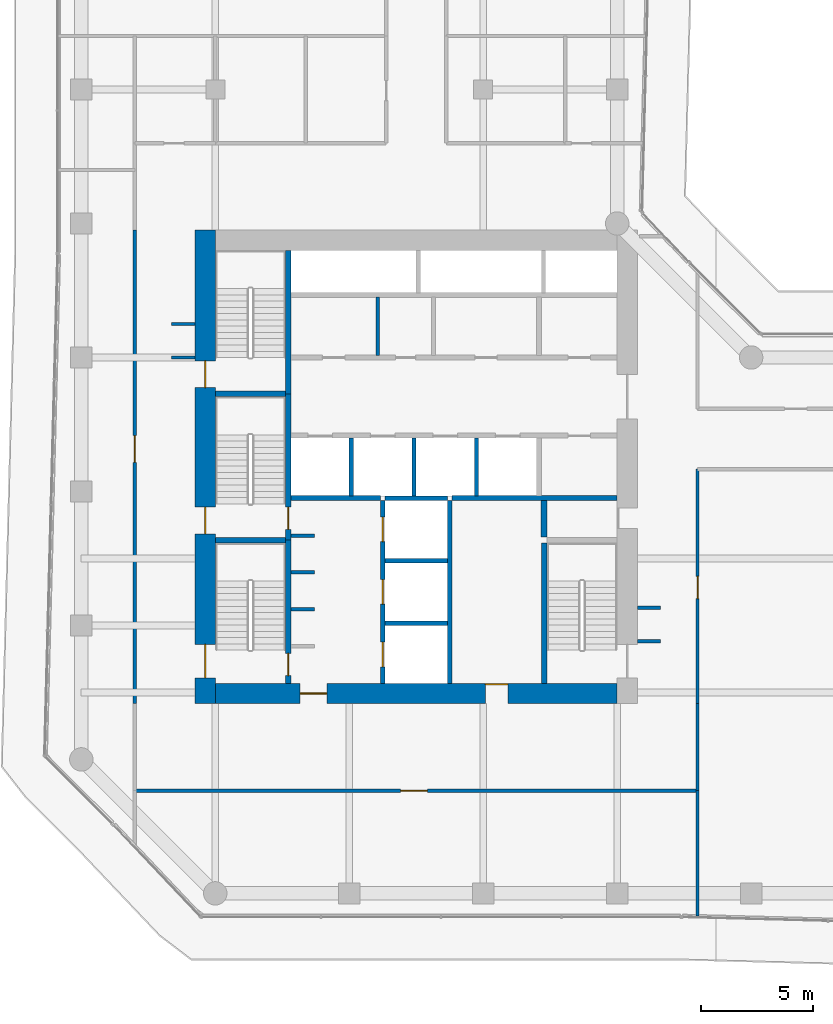
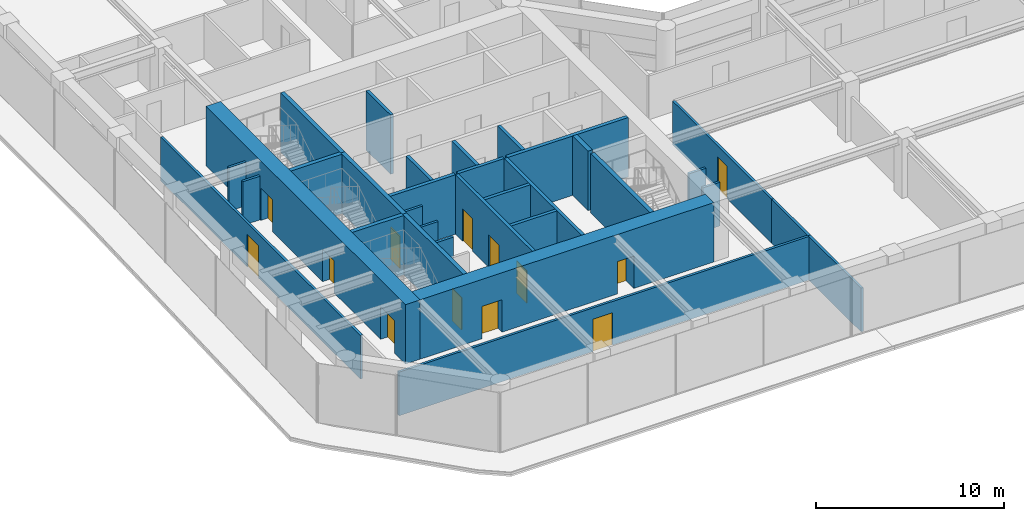
# One storey, part 23 of 28: 32 walls, 13 doors, 13 openings.
"""IFC4 building model written with IfcOpenShell, lengths in metres."""

from ifc_helpers import new_model, si_unit, direction, frame, frame_2d, origin, place, context, subcontext, project, spatial, rectangle, extrude, material, layer, layer_set, type_object, element, fill, save


model = new_model("IFC4")

# Units and contexts
model_context = context("Model", 3, precision=1e-05, world=origin(), true_north=direction((0.0, 1.0)))
body_context = subcontext(model_context, "Body", "Model", "MODEL_VIEW")
ifc_project = project(units=[si_unit("LENGTHUNIT", "METRE"), si_unit("AREAUNIT", "SQUARE_METRE"), si_unit("VOLUMEUNIT", "CUBIC_METRE"), si_unit("PLANEANGLEUNIT", "RADIAN"), si_unit("MASSUNIT", "GRAM", prefix="KILO")], contexts=[model_context])

# Site, building, storey
site_placement = place(None, origin())
site = spatial("IfcSite", under=ifc_project, at=site_placement, CompositionType="ELEMENT")
building_placement = place(site_placement, origin())
building = spatial("IfcBuilding", under=site, at=building_placement, Name="Welwitschia Terrace Campus", CompositionType="ELEMENT")
storey_placement = place(building_placement, frame((0.0, 0.0, 45.800048828125)))
storey = spatial("IfcBuildingStorey", under=building, at=storey_placement, Name="L10", CompositionType="ELEMENT", Elevation=45.800048828125)

# Walls
ifc_material_1 = material(Name="Concrete C32/40", Category="concrete")
ifc_layer_1 = layer(ifc_material_1, 0.175048828125)
ifc_layer_set_1 = layer_set([ifc_layer_1], Name="Concrete C32/40")
wall_type_1 = type_object("IfcWallType", Name="Core partition 175 Concrete C32/40", PredefinedType="PARTITIONING", material=ifc_layer_set_1)
wall_1_placement = place(storey_placement, frame((13.27490234375, 20.10009765625, 0.0), z_axis=(0.0, 0.0, 1.0), x_axis=(0.0, 1.0, 0.0)))
element("IfcWall", 1, at=wall_1_placement, inside=storey, type_object=wall_type_1, Name="Core partition", PredefinedType="PARTITIONING", context=body_context, shape_type="SweptSolid", body=[
    extrude(rectangle(XDim=2.599853515625, YDim=0.175048828125, at=frame_2d((1.2998046875, 0.0))), origin(), (0.0, 0.0, 1.0), 3.849853515625),
])
ifc_material_2 = material(Name="Concrete C32/40", Category="concrete")
ifc_layer_2 = layer(ifc_material_2, 0.22509765625)
ifc_layer_set_2 = layer_set([ifc_layer_2], Name="Concrete C32/40")
wall_type_2 = type_object("IfcWallType", Name="Core partition 225 Concrete C32/40", PredefinedType="PARTITIONING", material=ifc_layer_set_2)
wall_2_placement = place(storey_placement, frame((9.39990234375, 13.699951171875, 0.0), z_axis=(0.0, 0.0, 1.0), x_axis=(1.0, 0.0, 0.0)))
element("IfcWall", 2, at=wall_2_placement, inside=storey, type_object=wall_type_2, Name="Shaft wall", PredefinedType="PARTITIONING", context=body_context, shape_type="SweptSolid", body=[
    extrude(rectangle(XDim=4.0, YDim=0.22509765625, at=frame_2d((2.0, 0.0))), origin(), (0.0, 0.0, 1.0), 3.849853515625),
])
wall_3_placement = place(storey_placement, frame((16.60009765625, 13.699951171875, 0.0), z_axis=(0.0, 0.0, 1.0), x_axis=(1.0, 0.0, 0.0)))
element("IfcWall", 3, at=wall_3_placement, inside=storey, type_object=wall_type_2, Name="Shaft wall", PredefinedType="PARTITIONING", context=body_context, shape_type="SweptSolid", body=[
    extrude(rectangle(XDim=7.39990234375, YDim=0.22509765625, at=frame_2d((3.699951171875, 0.0))), origin(), (0.0, 0.0, 1.0), 3.849853515625),
])
ifc_material_3 = material(Name="Concrete C32/40", Category="concrete")
ifc_layer_3 = layer(ifc_material_3, 0.27490234375)
ifc_layer_set_3 = layer_set([ifc_layer_3], Name="Concrete C32/40")
wall_type_3 = type_object("IfcWallType", Name="Core partition 275 Concrete C32/40", PredefinedType="PARTITIONING", material=ifc_layer_set_3)
wall_4_placement = place(storey_placement, frame((20.72509765625, 11.949951171875, 0.0), z_axis=(0.0, 0.0, 1.0), x_axis=(0.0, 1.0, 0.0)))
element("IfcWall", 4, at=wall_4_placement, inside=storey, type_object=wall_type_3, Name="Core partition", PredefinedType="PARTITIONING", context=body_context, shape_type="SweptSolid", body=[
    extrude(rectangle(XDim=1.650146484375, YDim=0.27490234375, at=frame_2d((0.8251953125, 0.0))), origin(), (0.0, 0.0, 1.0), 3.849853515625),
])
ifc_material_4 = material(Name="Concrete C50/60", Category="concrete")
ifc_layer_4 = layer(ifc_material_4, 0.14990234375)
ifc_layer_set_4 = layer_set([ifc_layer_4], Name="Concrete C50/60")
wall_type_4 = type_object("IfcWallType", Name="Core wall 150 Concrete C50/60", PredefinedType="SHEAR", material=ifc_layer_set_4)
for number, where, z_axis, x_axis, name in (
    (5, (9.39990234375, 8.72509765625, 0.0), (0.0, 0.0, 1.0), (1.0, 0.0, 0.0), "Core wall"),
    (6, (9.39990234375, 10.375, 0.0), (0.0, 0.0, 1.0), (1.0, 0.0, 0.0), "Core wall"),
    (7, (9.39990234375, 12.02490234375, 0.0), (0.0, 0.0, 1.0), (1.0, 0.0, 0.0), "Core wall"),
):
    element("IfcWall", number, at=place(storey_placement, frame(where, z_axis=z_axis, x_axis=x_axis)), inside=storey, type_object=wall_type_4, Name=name, PredefinedType="SHEAR", context=body_context, shape_type="SweptSolid", body=[
        extrude(rectangle(XDim=1.050048828125, YDim=0.14990234375, at=frame_2d((0.52490234375, 0.0))), origin(), (0.0, 0.0, 1.0), 3.849853515625),
    ])
ifc_material_5 = material(Name="Concrete C50/60", Category="concrete")
ifc_layer_5 = layer(ifc_material_5, 0.199951171875)
ifc_layer_set_5 = layer_set([ifc_layer_5], Name="Concrete C50/60")
wall_type_5 = type_object("IfcWallType", Name="Core wall 200 Concrete C50/60", PredefinedType="SHEAR", material=ifc_layer_set_5)
for number, where, z_axis, x_axis, name in (
    (8, (13.60009765625, 8.10009765625, 0.0), (0.0, 0.0, 1.0), (1.0, 0.0, 0.0), "Core wall"),
    (9, (13.60009765625, 10.89990234375, 0.0), (0.0, 0.0, 1.0), (1.0, 0.0, 0.0), "Core wall"),
    (10, (13.60009765625, 13.699951171875, 0.0), (0.0, 0.0, 1.0), (1.0, 0.0, 0.0), "Core wall"),
):
    element("IfcWall", number, at=place(storey_placement, frame(where, z_axis=z_axis, x_axis=x_axis)), inside=storey, type_object=wall_type_5, Name=name, PredefinedType="SHEAR", context=body_context, shape_type="SweptSolid", body=[
        extrude(rectangle(XDim=2.7998046875, YDim=0.199951171875, at=frame_2d((1.39990234375, 0.0))), origin(), (0.0, 0.0, 1.0), 3.849853515625),
    ])

# Wall, openings, doors
wall_5_placement = place(storey_placement, frame((13.5, 5.39990234375, 0.0), z_axis=(0.0, 0.0, 1.0), x_axis=(0.0, 1.0, 0.0)))
wall_5 = element("IfcWall", 11, at=wall_5_placement, inside=storey, type_object=wall_type_5, Name="Core wall", PredefinedType="SHEAR", context=body_context, shape_type="SweptSolid", body=[
    extrude(rectangle(XDim=8.2001953125, YDim=0.199951171875, at=frame_2d((4.10009765625, 0.0))), origin(), (0.0, 0.0, 1.0), 3.849853515625),
])
opening_1_placement = place(wall_5_placement, frame((0.75, 0.0, 0.0)))
opening_1 = element("IfcOpeningElement", 12, at=opening_1_placement, cuts=wall_5, Name="Opening LD", PredefinedType="OPENING", context=body_context, shape_type="SweptSolid", body=[
    extrude(rectangle(XDim=1.10009765625, YDim=2.10009765625, at=frame_2d((0.550048828125, 1.050048828125))), frame((0.0, 0.10986328125, 0.0), z_axis=(0.0, -1.0, 0.0), x_axis=(1.0, 0.0, 0.0)), (0.0, 0.0, 1.0), 0.219970703125),
])
opening_2_placement = place(wall_5_placement, frame((3.550048828125, 0.0, 0.0)))
opening_2 = element("IfcOpeningElement", 13, at=opening_2_placement, cuts=wall_5, Name="Opening LD", PredefinedType="OPENING", context=body_context, shape_type="SweptSolid", body=[
    extrude(rectangle(XDim=1.10009765625, YDim=2.10009765625, at=frame_2d((0.550048828125, 1.050048828125))), frame((0.0, 0.10986328125, 0.0), z_axis=(0.0, -1.0, 0.0), x_axis=(1.0, 0.0, 0.0)), (0.0, 0.0, 1.0), 0.219970703125),
])
opening_3_placement = place(wall_5_placement, frame((6.35009765625, 0.0, 0.0)))
opening_3 = element("IfcOpeningElement", 14, at=opening_3_placement, cuts=wall_5, Name="Opening LD", PredefinedType="OPENING", context=body_context, shape_type="SweptSolid", body=[
    extrude(rectangle(XDim=1.10009765625, YDim=2.10009765625, at=frame_2d((0.550048828125, 1.050048828125))), frame((0.0, 0.10986328125, 0.0), z_axis=(0.0, -1.0, 0.0), x_axis=(1.0, 0.0, 0.0)), (0.0, 0.0, 1.0), 0.219970703125),
])
ifc_material_6 = material(Name="Stainless steel 304", Category="steel")
door_type_1 = type_object("IfcDoorType", Name="Lift landing door", OperationType="DOUBLE_DOOR_SLIDING", PredefinedType="DOOR", material=ifc_material_6)
door_1_placement = place(opening_1_placement, origin())
door_1 = element("IfcDoor", 15, at=door_1_placement, inside=storey, type_object=door_type_1, Name="Landing door FF1", OperationType="DOUBLE_DOOR_SLIDING", OverallHeight=2.10009765625, OverallWidth=1.10009765625, PredefinedType="DOOR", context=body_context, shape_type="SweptSolid", body=[
    extrude(rectangle(XDim=1.10009765625, YDim=2.10009765625, at=frame_2d((0.550048828125, 1.050048828125))), frame((0.0, 0.02490234375, 0.0), z_axis=(0.0, -1.0, 0.0), x_axis=(1.0, 0.0, 0.0)), (0.0, 0.0, 1.0), 0.050048828125),
])
fill(opening_1, door_1)
door_2_placement = place(opening_2_placement, origin())
door_2 = element("IfcDoor", 16, at=door_2_placement, inside=storey, type_object=door_type_1, Name="Landing door FF2", OperationType="DOUBLE_DOOR_SLIDING", OverallHeight=2.10009765625, OverallWidth=1.10009765625, PredefinedType="DOOR", context=body_context, shape_type="SweptSolid", body=[
    extrude(rectangle(XDim=1.10009765625, YDim=2.10009765625, at=frame_2d((0.550048828125, 1.050048828125))), frame((0.0, 0.02490234375, 0.0), z_axis=(0.0, -1.0, 0.0), x_axis=(1.0, 0.0, 0.0)), (0.0, 0.0, 1.0), 0.050048828125),
])
fill(opening_2, door_2)
door_3_placement = place(opening_3_placement, origin())
door_3 = element("IfcDoor", 17, at=door_3_placement, inside=storey, type_object=door_type_1, Name="Landing door SV1", OperationType="DOUBLE_DOOR_SLIDING", OverallHeight=2.10009765625, OverallWidth=1.10009765625, PredefinedType="DOOR", context=body_context, shape_type="SweptSolid", body=[
    extrude(rectangle(XDim=1.10009765625, YDim=2.10009765625, at=frame_2d((0.550048828125, 1.050048828125))), frame((0.0, 0.02490234375, 0.0), z_axis=(0.0, -1.0, 0.0), x_axis=(1.0, 0.0, 0.0)), (0.0, 0.0, 1.0), 0.050048828125),
])
fill(opening_3, door_3)

# Walls
wall_6_placement = place(storey_placement, frame((16.5, 5.39990234375, 0.0), z_axis=(0.0, 0.0, 1.0), x_axis=(0.0, 1.0, 0.0)))
element("IfcWall", 18, at=wall_6_placement, inside=storey, type_object=wall_type_5, Name="Core wall", PredefinedType="SHEAR", context=body_context, shape_type="SweptSolid", body=[
    extrude(rectangle(XDim=8.2001953125, YDim=0.199951171875, at=frame_2d((4.10009765625, 0.0))), origin(), (0.0, 0.0, 1.0), 3.849853515625),
])
ifc_material_7 = material(Name="Concrete C50/60", Category="concrete")
ifc_layer_6 = layer(ifc_material_7, 0.25)
ifc_layer_set_6 = layer_set([ifc_layer_6], Name="Concrete C50/60")
wall_type_6 = type_object("IfcWallType", Name="Core wall 250 Concrete C50/60", PredefinedType="SHEAR", material=ifc_layer_set_6)
for number, where, z_axis, x_axis, name in (
    (19, (6.0, 11.824951171875, 0.0), (0.0, 0.0, 1.0), (1.0, 0.0, 0.0), "Core wall"),
    (20, (6.0, 18.375, 0.0), (0.0, 0.0, 1.0), (1.0, 0.0, 0.0), "Core wall"),
):
    element("IfcWall", number, at=place(storey_placement, frame(where, z_axis=z_axis, x_axis=x_axis)), inside=storey, type_object=wall_type_6, Name=name, PredefinedType="SHEAR", context=body_context, shape_type="SweptSolid", body=[
        extrude(rectangle(XDim=3.14990234375, YDim=0.25, at=frame_2d((1.574951171875, 0.0))), origin(), (0.0, 0.0, 1.0), 3.849853515625),
    ])

# Wall, opening, door
wall_7_placement = place(storey_placement, frame((9.27490234375, 11.824951171875, 0.0), z_axis=(0.0, 0.0, 1.0), x_axis=(0.0, -1.0, 0.0)))
wall_7 = element("IfcWall", 21, at=wall_7_placement, inside=storey, type_object=wall_type_6, Name="Core wall", PredefinedType="SHEAR", context=body_context, shape_type="SweptSolid", body=[
    extrude(rectangle(XDim=6.425048828125, YDim=0.25, at=frame_2d((3.21240234375, 0.0))), origin(), (0.0, 0.0, 1.0), 3.849853515625),
])
opening_4_placement = place(wall_7_placement, frame((5.074951171875, 0.0, 0.0)))
opening_4 = element("IfcOpeningElement", 22, at=opening_4_placement, cuts=wall_7, Name="Opening DS10", PredefinedType="OPENING", context=body_context, shape_type="SweptSolid", body=[
    extrude(rectangle(XDim=1.0, YDim=2.10009765625, at=frame_2d((0.5, 1.050048828125))), frame((0.0, 0.135009765625, 0.0), z_axis=(0.0, -1.0, 0.0), x_axis=(1.0, 0.0, 0.0)), (0.0, 0.0, 1.0), 0.27001953125),
])
ifc_material_8 = material(Name="Steel S275", Category="steel")
door_type_2 = type_object("IfcDoorType", Name="Core door DS10", OperationType="SINGLE_SWING_LEFT", PredefinedType="DOOR", material=ifc_material_8)
door_4_placement = place(opening_4_placement, origin())
door_4 = element("IfcDoor", 23, at=door_4_placement, inside=storey, type_object=door_type_2, Name="Door S1-FL", OperationType="SINGLE_SWING_RIGHT", OverallHeight=2.10009765625, OverallWidth=1.0, PredefinedType="DOOR", context=body_context, shape_type="SweptSolid", body=[
    extrude(rectangle(XDim=1.0, YDim=2.10009765625, at=frame_2d((0.5, 1.050048828125))), frame((0.0, 0.02490234375, 0.0), z_axis=(0.0, -1.0, 0.0), x_axis=(1.0, 0.0, 0.0)), (0.0, 0.0, 1.0), 0.050048828125),
])
fill(opening_4, door_4)

wall_8_placement = place(storey_placement, frame((9.27490234375, 18.375, 0.0), z_axis=(0.0, 0.0, 1.0), x_axis=(0.0, -1.0, 0.0)))
wall_8 = element("IfcWall", 24, at=wall_8_placement, inside=storey, type_object=wall_type_6, Name="Core wall", PredefinedType="SHEAR", context=body_context, shape_type="SweptSolid", body=[
    extrude(rectangle(XDim=6.550048828125, YDim=0.25, at=frame_2d((3.27490234375, 0.0))), origin(), (0.0, 0.0, 1.0), 3.849853515625),
])
opening_5_placement = place(wall_8_placement, frame((5.074951171875, 0.0, 0.0)))
opening_5 = element("IfcOpeningElement", 25, at=opening_5_placement, cuts=wall_8, Name="Opening DS10", PredefinedType="OPENING", context=body_context, shape_type="SweptSolid", body=[
    extrude(rectangle(XDim=1.0, YDim=2.10009765625, at=frame_2d((0.5, 1.050048828125))), frame((0.0, 0.135009765625, 0.0), z_axis=(0.0, -1.0, 0.0), x_axis=(1.0, 0.0, 0.0)), (0.0, 0.0, 1.0), 0.27001953125),
])
door_5_placement = place(opening_5_placement, origin())
door_5 = element("IfcDoor", 26, at=door_5_placement, inside=storey, type_object=door_type_2, Name="Door S3-FL", OperationType="SINGLE_SWING_RIGHT", OverallHeight=2.10009765625, OverallWidth=1.0, PredefinedType="DOOR", context=body_context, shape_type="SweptSolid", body=[
    extrude(rectangle(XDim=1.0, YDim=2.10009765625, at=frame_2d((0.5, 1.050048828125))), frame((0.0, 0.02490234375, 0.0), z_axis=(0.0, -1.0, 0.0), x_axis=(1.0, 0.0, 0.0)), (0.0, 0.0, 1.0), 0.050048828125),
])
fill(opening_5, door_5)

# Walls
wall_9_placement = place(storey_placement, frame((9.27490234375, 18.375, 0.0), z_axis=(0.0, 0.0, 1.0), x_axis=(0.0, 1.0, 0.0)))
element("IfcWall", 27, at=wall_9_placement, inside=storey, type_object=wall_type_6, Name="Core wall", PredefinedType="SHEAR", context=body_context, shape_type="SweptSolid", body=[
    extrude(rectangle(XDim=6.425048828125, YDim=0.25, at=frame_2d((3.21240234375, 0.0))), origin(), (0.0, 0.0, 1.0), 3.849853515625),
])
wall_10_placement = place(storey_placement, frame((20.72509765625, 5.39990234375, 0.0), z_axis=(0.0, 0.0, 1.0), x_axis=(0.0, 1.0, 0.0)))
element("IfcWall", 28, at=wall_10_placement, inside=storey, type_object=wall_type_6, Name="Core wall", PredefinedType="SHEAR", context=body_context, shape_type="SweptSolid", body=[
    extrude(rectangle(XDim=6.300048828125, YDim=0.25, at=frame_2d((3.14990234375, 0.0))), origin(), (0.0, 0.0, 1.0), 3.849853515625),
])

# Wall, openings, doors
ifc_material_9 = material(Name="Concrete C70/85", Category="concrete")
ifc_layer_7 = layer(ifc_material_9, 0.89990234375)
ifc_layer_set_7 = layer_set([ifc_layer_7], Name="Concrete C70/85")
wall_type_7 = type_object("IfcWallType", Name="Core wall 900 Concrete C70/85", PredefinedType="SHEAR", material=ifc_layer_set_7)
wall_11_placement = place(storey_placement, frame((5.550048828125, 4.5, 0.0), z_axis=(0.0, 0.0, 1.0), x_axis=(0.0, 1.0, 0.0)))
wall_11 = element("IfcWall", 29, at=wall_11_placement, inside=storey, type_object=wall_type_7, Name="Core outer wall", PredefinedType="SHEAR", context=body_context, shape_type="SweptSolid", body=[
    extrude(rectangle(XDim=21.199951171875, YDim=0.89990234375, at=frame_2d((10.60009765625, 0.0))), origin(), (0.0, 0.0, 1.0), 3.849853515625),
])
opening_6_placement = place(wall_11_placement, frame((1.14990234375, 0.0, 0.0)))
opening_6 = element("IfcOpeningElement", 30, at=opening_6_placement, cuts=wall_11, Name="Opening DS15", PredefinedType="OPENING", context=body_context, shape_type="SweptSolid", body=[
    extrude(rectangle(XDim=1.5, YDim=2.10009765625, at=frame_2d((0.75, 1.050048828125))), frame((0.0, 0.4599609375, 0.0), z_axis=(0.0, -1.0, 0.0), x_axis=(1.0, 0.0, 0.0)), (0.0, 0.0, 1.0), 0.919921875),
])
opening_7_placement = place(wall_11_placement, frame((7.60009765625, 0.0, 0.0)))
opening_7 = element("IfcOpeningElement", 31, at=opening_7_placement, cuts=wall_11, Name="Opening DS12", PredefinedType="OPENING", context=body_context, shape_type="SweptSolid", body=[
    extrude(rectangle(XDim=1.199951171875, YDim=2.10009765625, at=frame_2d((0.60009765625, 1.050048828125))), frame((0.0, 0.4599609375, 0.0), z_axis=(0.0, -1.0, 0.0), x_axis=(1.0, 0.0, 0.0)), (0.0, 0.0, 1.0), 0.919921875),
])
opening_8_placement = place(wall_11_placement, frame((14.14990234375, 0.0, 0.0)))
opening_8 = element("IfcOpeningElement", 32, at=opening_8_placement, cuts=wall_11, Name="Opening DS12", PredefinedType="OPENING", context=body_context, shape_type="SweptSolid", body=[
    extrude(rectangle(XDim=1.199951171875, YDim=2.10009765625, at=frame_2d((0.60009765625, 1.050048828125))), frame((0.0, 0.4599609375, 0.0), z_axis=(0.0, -1.0, 0.0), x_axis=(1.0, 0.0, 0.0)), (0.0, 0.0, 1.0), 0.919921875),
])
ifc_material_10 = material(Name="Steel S275", Category="steel")
door_type_3 = type_object("IfcDoorType", Name="Core door DS12", OperationType="SINGLE_SWING_LEFT", PredefinedType="DOOR", material=ifc_material_10)
door_6_placement = place(opening_7_placement, origin())
door_6 = element("IfcDoor", 33, at=door_6_placement, inside=storey, type_object=door_type_3, Name="Door S3-out", OperationType="SINGLE_SWING_LEFT", OverallHeight=2.10009765625, OverallWidth=1.199951171875, PredefinedType="DOOR", context=body_context, shape_type="SweptSolid", body=[
    extrude(rectangle(XDim=1.199951171875, YDim=2.10009765625, at=frame_2d((0.60009765625, 1.050048828125))), frame((0.0, 0.02490234375, 0.0), z_axis=(0.0, -1.0, 0.0), x_axis=(1.0, 0.0, 0.0)), (0.0, 0.0, 1.0), 0.050048828125),
])
fill(opening_7, door_6)
door_7_placement = place(opening_8_placement, origin())
door_7 = element("IfcDoor", 34, at=door_7_placement, inside=storey, type_object=door_type_3, Name="Door S4-out", OperationType="SINGLE_SWING_RIGHT", OverallHeight=2.10009765625, OverallWidth=1.199951171875, PredefinedType="DOOR", context=body_context, shape_type="SweptSolid", body=[
    extrude(rectangle(XDim=1.199951171875, YDim=2.10009765625, at=frame_2d((0.60009765625, 1.050048828125))), frame((0.0, 0.02490234375, 0.0), z_axis=(0.0, -1.0, 0.0), x_axis=(1.0, 0.0, 0.0)), (0.0, 0.0, 1.0), 0.050048828125),
])
fill(opening_8, door_7)
ifc_material_11 = material(Name="Steel S275", Category="steel")
door_type_4 = type_object("IfcDoorType", Name="Core door DS15", OperationType="DOUBLE_DOOR_SINGLE_SWING", PredefinedType="DOOR", material=ifc_material_11)
door_8_placement = place(opening_6_placement, origin())
door_8 = element("IfcDoor", 35, at=door_8_placement, inside=storey, type_object=door_type_4, Name="Door S1-out", OperationType="DOUBLE_DOOR_SINGLE_SWING", OverallHeight=2.10009765625, OverallWidth=1.5, PredefinedType="DOOR", context=body_context, shape_type="SweptSolid", body=[
    extrude(rectangle(XDim=1.5, YDim=2.10009765625, at=frame_2d((0.75, 1.050048828125))), frame((0.0, 0.02490234375, 0.0), z_axis=(0.0, -1.0, 0.0), x_axis=(1.0, 0.0, 0.0)), (0.0, 0.0, 1.0), 0.050048828125),
])
fill(opening_6, door_8)

wall_12_placement = place(storey_placement, frame((24.0, 4.949951171875, 0.0), z_axis=(0.0, 0.0, 1.0), x_axis=(-1.0, 0.0, 0.0)))
wall_12 = element("IfcWall", 36, at=wall_12_placement, inside=storey, type_object=wall_type_7, Name="Core outer wall", PredefinedType="SHEAR", context=body_context, shape_type="SweptSolid", body=[
    extrude(rectangle(XDim=18.0, YDim=0.89990234375, at=frame_2d((9.0, 0.0))), origin(), (0.0, 0.0, 1.0), 3.849853515625),
])
opening_9_placement = place(wall_12_placement, frame((13.0, 0.0, 0.0)))
opening_9 = element("IfcOpeningElement", 37, at=opening_9_placement, cuts=wall_12, Name="Opening DF12", PredefinedType="OPENING", context=body_context, shape_type="SweptSolid", body=[
    extrude(rectangle(XDim=1.199951171875, YDim=2.10009765625, at=frame_2d((0.60009765625, 1.050048828125))), frame((0.0, 0.4599609375, 0.0), z_axis=(0.0, -1.0, 0.0), x_axis=(1.0, 0.0, 0.0)), (0.0, 0.0, 1.0), 0.919921875),
])
opening_10_placement = place(wall_12_placement, frame((4.89990234375, 0.0, 0.0)))
opening_10 = element("IfcOpeningElement", 38, at=opening_10_placement, cuts=wall_12, Name="Opening DR10", PredefinedType="OPENING", context=body_context, shape_type="SweptSolid", body=[
    extrude(rectangle(XDim=1.0, YDim=2.10009765625, at=frame_2d((0.5, 1.050048828125))), frame((0.0, 0.4599609375, 0.0), z_axis=(0.0, -1.0, 0.0), x_axis=(1.0, 0.0, 0.0)), (0.0, 0.0, 1.0), 0.919921875),
])
ifc_material_12 = material(Name="Steel S275", Category="steel")
door_type_5 = type_object("IfcDoorType", Name="Core door DF12", OperationType="SINGLE_SWING_LEFT", PredefinedType="DOOR", material=ifc_material_12)
door_9_placement = place(opening_9_placement, origin())
door_9 = element("IfcDoor", 39, at=door_9_placement, inside=storey, type_object=door_type_5, Name="Door FL-out", OperationType="SINGLE_SWING_RIGHT", OverallHeight=2.10009765625, OverallWidth=1.199951171875, PredefinedType="DOOR", context=body_context, shape_type="SweptSolid", body=[
    extrude(rectangle(XDim=1.199951171875, YDim=2.10009765625, at=frame_2d((0.60009765625, 1.050048828125))), frame((0.0, 0.02490234375, 0.0), z_axis=(0.0, -1.0, 0.0), x_axis=(1.0, 0.0, 0.0)), (0.0, 0.0, 1.0), 0.050048828125),
])
fill(opening_9, door_9)
ifc_material_13 = material(Name="Steel S275", Category="steel")
door_type_6 = type_object("IfcDoorType", Name="Core door DR10", OperationType="SINGLE_SWING_LEFT", PredefinedType="DOOR", material=ifc_material_13)
door_10_placement = place(opening_10_placement, origin())
door_10 = element("IfcDoor", 40, at=door_10_placement, inside=storey, type_object=door_type_6, Name="Door F1-out", OperationType="SINGLE_SWING_LEFT", OverallHeight=2.10009765625, OverallWidth=1.0, PredefinedType="DOOR", context=body_context, shape_type="SweptSolid", body=[
    extrude(rectangle(XDim=1.0, YDim=2.10009765625, at=frame_2d((0.5, 1.050048828125))), frame((0.0, -0.39013671875, 0.0), z_axis=(0.0, -1.0, 0.0), x_axis=(1.0, 0.0, 0.0)), (0.0, 0.0, 1.0), 0.050048828125),
])
fill(opening_10, door_10)

# Wall, opening, door
ifc_material_14 = material(Name="Gypsum board on steel studs", Category="steel")
ifc_layer_8 = layer(ifc_material_14, 0.14990234375)
ifc_layer_set_8 = layer_set([ifc_layer_8], Name="Gypsum board on steel studs")
wall_type_8 = type_object("IfcWallType", Name="Corridor partition 150 EI 30", PredefinedType="PARTITIONING", material=ifc_layer_set_8)
wall_13_placement = place(storey_placement, frame((2.39990234375, 4.5, 0.0), z_axis=(0.0, 0.0, 1.0), x_axis=(0.0, 1.0, 0.0)))
wall_13 = element("IfcWall", 41, at=wall_13_placement, inside=storey, type_object=wall_type_8, Name="Partition", PredefinedType="PARTITIONING", context=body_context, shape_type="SweptSolid", body=[
    extrude(rectangle(XDim=21.199951171875, YDim=0.14990234375, at=frame_2d((10.60009765625, 0.0))), origin(), (0.0, 0.0, 1.0), 2.829833984375),
])
opening_11_placement = place(wall_13_placement, frame((10.800048828125, 0.0, 0.0)))
opening_11 = element("IfcOpeningElement", 42, at=opening_11_placement, cuts=wall_13, Name="Opening DI12", PredefinedType="OPENING", context=body_context, shape_type="SweptSolid", body=[
    extrude(rectangle(XDim=1.199951171875, YDim=2.10009765625, at=frame_2d((0.60009765625, 1.050048828125))), frame((0.0, 0.0849609375, 0.0), z_axis=(0.0, -1.0, 0.0), x_axis=(1.0, 0.0, 0.0)), (0.0, 0.0, 1.0), 0.169921875),
])
ifc_material_15 = material(Name="Timber veneered door", Category="wood")
door_type_7 = type_object("IfcDoorType", Name="Interior door DI12", OperationType="NOTDEFINED", PredefinedType="DOOR", material=ifc_material_15)
door_11_placement = place(opening_11_placement, origin())
door_11 = element("IfcDoor", 43, at=door_11_placement, inside=storey, type_object=door_type_7, Name="Door L10 229", OperationType="SINGLE_SWING_RIGHT", OverallHeight=2.10009765625, OverallWidth=1.199951171875, PredefinedType="DOOR", context=body_context, shape_type="SweptSolid", body=[
    extrude(rectangle(XDim=1.199951171875, YDim=2.10009765625, at=frame_2d((0.60009765625, 1.050048828125))), frame((0.0, 0.02490234375, 0.0), z_axis=(0.0, -1.0, 0.0), x_axis=(1.0, 0.0, 0.0)), (0.0, 0.0, 1.0), 0.050048828125),
])
fill(opening_11, door_11)

# Walls
for number, where, z_axis, x_axis, name in (
    (44, (4.050048828125, 20.0, 0.0), (0.0, 0.0, 1.0), (1.0, 0.0, 0.0), "Partition"),
    (45, (4.050048828125, 21.5, 0.0), (0.0, 0.0, 1.0), (1.0, 0.0, 0.0), "Partition"),
    (46, (24.89990234375, 7.300048828125, 0.0), (0.0, 0.0, 1.0), (1.0, 0.0, 0.0), "Partition"),
    (47, (24.89990234375, 8.800048828125, 0.0), (0.0, 0.0, 1.0), (1.0, 0.0, 0.0), "Partition"),
):
    element("IfcWall", number, at=place(storey_placement, frame(where, z_axis=z_axis, x_axis=x_axis)), inside=storey, type_object=wall_type_8, Name=name, PredefinedType="PARTITIONING", context=body_context, shape_type="SweptSolid", body=[
        extrude(rectangle(XDim=1.050048828125, YDim=0.14990234375, at=frame_2d((0.52490234375, 0.0))), origin(), (0.0, 0.0, 1.0), 2.829833984375),
    ])
wall_14_placement = place(storey_placement, frame((27.60009765625, -5.010009765625, 0.0), z_axis=(0.0, 0.0, 1.0), x_axis=(0.0, 1.0, 0.0)))
element("IfcWall", 48, at=wall_14_placement, inside=storey, type_object=wall_type_8, Name="Partition", PredefinedType="PARTITIONING", context=body_context, shape_type="SweptSolid", body=[
    extrude(rectangle(XDim=5.610107421875, YDim=0.14990234375, at=frame_2d((2.80517578125, 0.0))), origin(), (0.0, 0.0, 1.0), 2.829833984375),
])

# Wall, opening, door
wall_15_placement = place(storey_placement, frame((27.60009765625, 0.60009765625, 0.0), z_axis=(0.0, 0.0, 1.0), x_axis=(-1.0, 0.0, 0.0)))
wall_15 = element("IfcWall", 49, at=wall_15_placement, inside=storey, type_object=wall_type_8, Name="Partition", PredefinedType="PARTITIONING", context=body_context, shape_type="SweptSolid", body=[
    extrude(rectangle(XDim=25.2001953125, YDim=0.14990234375, at=frame_2d((12.60009765625, 0.0))), origin(), (0.0, 0.0, 1.0), 2.829833984375),
])
opening_12_placement = place(wall_15_placement, frame((12.10009765625, 0.0, 0.0)))
opening_12 = element("IfcOpeningElement", 50, at=opening_12_placement, cuts=wall_15, Name="Opening DI12", PredefinedType="OPENING", context=body_context, shape_type="SweptSolid", body=[
    extrude(rectangle(XDim=1.199951171875, YDim=2.10009765625, at=frame_2d((0.60009765625, 1.050048828125))), frame((0.0, 0.0849609375, 0.0), z_axis=(0.0, -1.0, 0.0), x_axis=(1.0, 0.0, 0.0)), (0.0, 0.0, 1.0), 0.169921875),
])
door_12_placement = place(opening_12_placement, origin())
door_12 = element("IfcDoor", 51, at=door_12_placement, inside=storey, type_object=door_type_7, Name="Door L10 239", OperationType="SINGLE_SWING_RIGHT", OverallHeight=2.10009765625, OverallWidth=1.199951171875, PredefinedType="DOOR", context=body_context, shape_type="SweptSolid", body=[
    extrude(rectangle(XDim=1.199951171875, YDim=2.10009765625, at=frame_2d((0.60009765625, 1.050048828125))), frame((0.0, 0.02490234375, 0.0), z_axis=(0.0, -1.0, 0.0), x_axis=(1.0, 0.0, 0.0)), (0.0, 0.0, 1.0), 0.050048828125),
])
fill(opening_12, door_12)

# Wall
wall_16_placement = place(storey_placement, frame((27.60009765625, 0.60009765625, 0.0), z_axis=(0.0, 0.0, 1.0), x_axis=(0.0, 1.0, 0.0)))
element("IfcWall", 52, at=wall_16_placement, inside=storey, type_object=wall_type_8, Name="Partition", PredefinedType="PARTITIONING", context=body_context, shape_type="SweptSolid", body=[
    extrude(rectangle(XDim=3.89990234375, YDim=0.14990234375, at=frame_2d((1.949951171875, 0.0))), origin(), (0.0, 0.0, 1.0), 2.829833984375),
])

# Wall, opening, door
wall_17_placement = place(storey_placement, frame((27.60009765625, 15.0, 0.0), z_axis=(0.0, 0.0, 1.0), x_axis=(0.0, -1.0, 0.0)))
wall_17 = element("IfcWall", 53, at=wall_17_placement, inside=storey, type_object=wall_type_8, Name="Partition", PredefinedType="PARTITIONING", context=body_context, shape_type="SweptSolid", body=[
    extrude(rectangle(XDim=10.5, YDim=0.14990234375, at=frame_2d((5.25, 0.0))), origin(), (0.0, 0.0, 1.0), 2.829833984375),
])
opening_13_placement = place(wall_17_placement, frame((4.800048828125, 0.0, 0.0)))
opening_13 = element("IfcOpeningElement", 54, at=opening_13_placement, cuts=wall_17, Name="Opening DI10", PredefinedType="OPENING", context=body_context, shape_type="SweptSolid", body=[
    extrude(rectangle(XDim=1.0, YDim=2.10009765625, at=frame_2d((0.5, 1.050048828125))), frame((0.0, 0.0849609375, 0.0), z_axis=(0.0, -1.0, 0.0), x_axis=(1.0, 0.0, 0.0)), (0.0, 0.0, 1.0), 0.169921875),
])
ifc_material_16 = material(Name="Timber veneered door", Category="wood")
door_type_8 = type_object("IfcDoorType", Name="Interior door DI10", OperationType="NOTDEFINED", PredefinedType="DOOR", material=ifc_material_16)
door_13_placement = place(opening_13_placement, origin())
door_13 = element("IfcDoor", 55, at=door_13_placement, inside=storey, type_object=door_type_8, Name="Door L10 240", OperationType="SINGLE_SWING_LEFT", OverallHeight=2.10009765625, OverallWidth=1.0, PredefinedType="DOOR", context=body_context, shape_type="SweptSolid", body=[
    extrude(rectangle(XDim=1.0, YDim=2.10009765625, at=frame_2d((0.5, 1.050048828125))), frame((0.0, 0.02490234375, 0.0), z_axis=(0.0, -1.0, 0.0), x_axis=(1.0, 0.0, 0.0)), (0.0, 0.0, 1.0), 0.050048828125),
])
fill(opening_13, door_13)

# Walls
ifc_material_17 = material(Name="Concrete C32/40", Category="concrete")
ifc_layer_9 = layer(ifc_material_17, 0.199951171875)
ifc_layer_set_9 = layer_set([ifc_layer_9], Name="Concrete C32/40")
wall_type_9 = type_object("IfcWallType", Name="Shaft wall 200 Concrete C32/40", PredefinedType="SOLIDWALL", material=ifc_layer_set_9)
for number, where, z_axis, x_axis, name in (
    (56, (12.10009765625, 13.800048828125, 0.0), (0.0, 0.0, 1.0), (0.0, 1.0, 0.0), "Shaft wall"),
    (57, (14.89990234375, 13.800048828125, 0.0), (0.0, 0.0, 1.0), (0.0, 1.0, 0.0), "Shaft wall"),
    (58, (17.699951171875, 13.800048828125, 0.0), (0.0, 0.0, 1.0), (0.0, 1.0, 0.0), "Shaft wall"),
):
    element("IfcWall", number, at=place(storey_placement, frame(where, z_axis=z_axis, x_axis=x_axis)), inside=storey, type_object=wall_type_9, Name=name, PredefinedType="SOLIDWALL", context=body_context, shape_type="SweptSolid", body=[
        extrude(rectangle(XDim=2.599853515625, YDim=0.199951171875, at=frame_2d((1.2998046875, 0.0))), origin(), (0.0, 0.0, 1.0), 3.849853515625),
    ])

save(model, "model.ifc")
